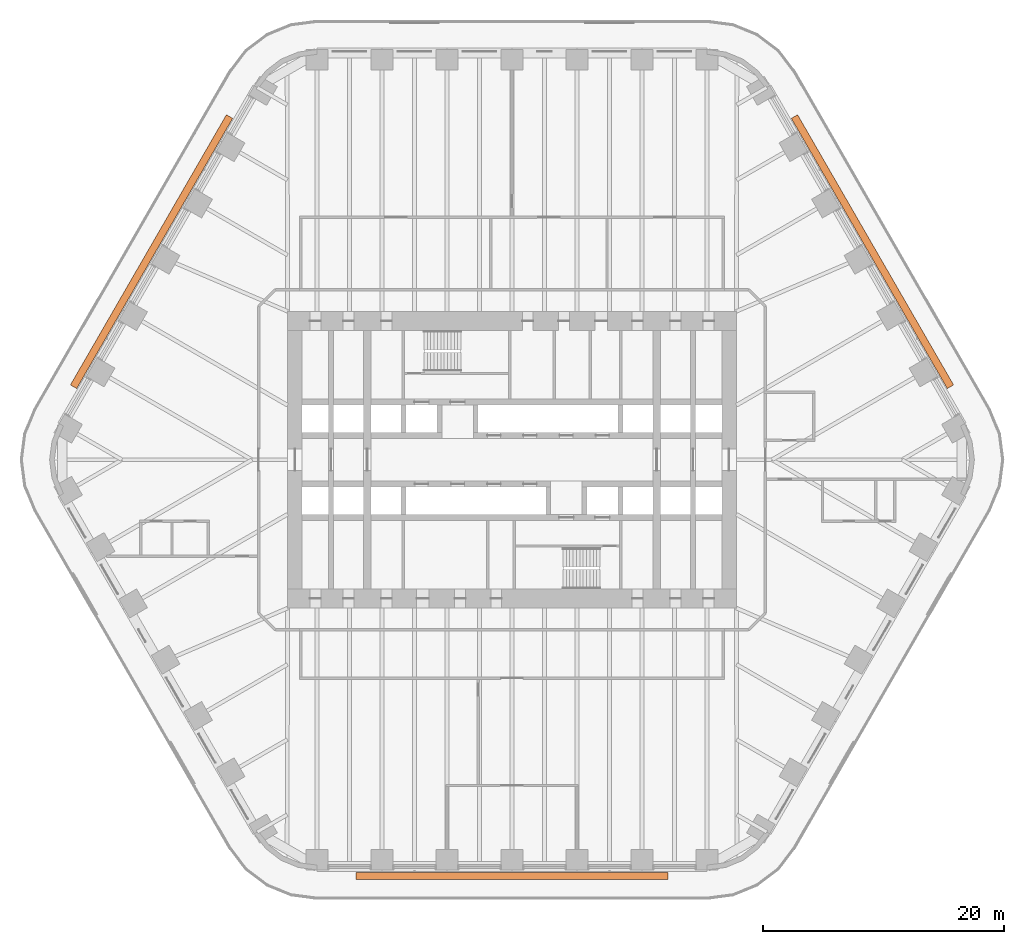
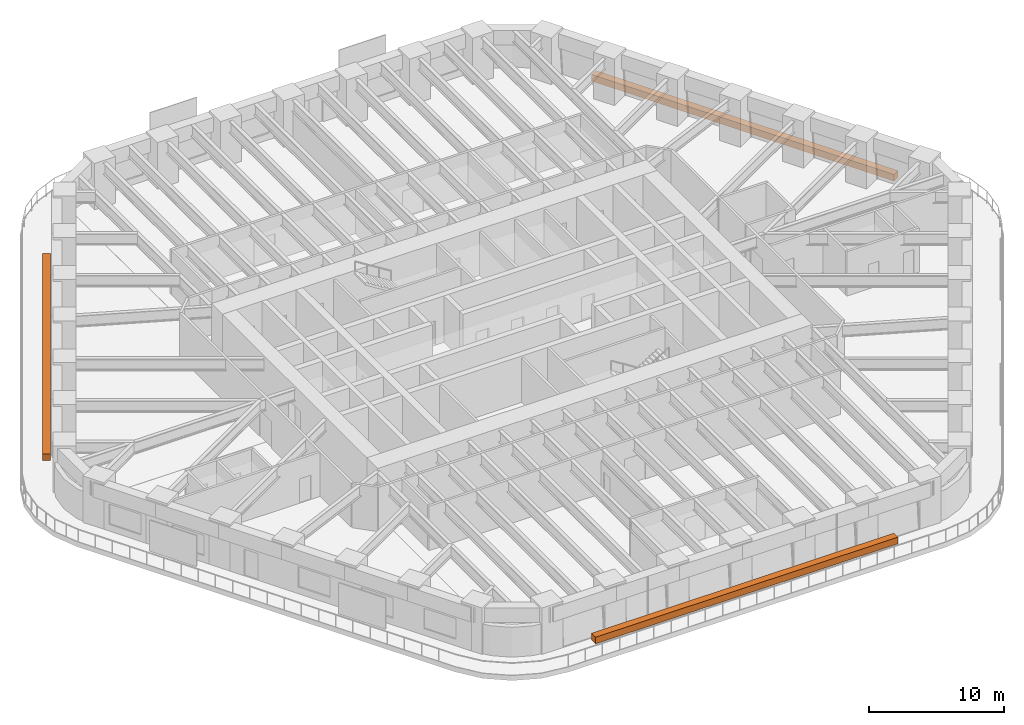
# One storey, part 23 of 23: 3 proxies.
"""IFC4 building model written with IfcOpenShell, lengths in metres."""

from ifc_helpers import new_model, si_unit, direction, frame, origin, origin_2d, place, context, subcontext, project, spatial, rectangle, extrude, material, element, save


model = new_model("IFC4")

# Units and contexts
model_context = context("Model", 3, precision=1e-05, world=origin(), true_north=direction((0.0, 1.0)))
body_context = subcontext(model_context, "Body", "Model", "MODEL_VIEW")
ifc_project = project(units=[si_unit("LENGTHUNIT", "METRE"), si_unit("AREAUNIT", "SQUARE_METRE"), si_unit("VOLUMEUNIT", "CUBIC_METRE"), si_unit("PLANEANGLEUNIT", "RADIAN"), si_unit("MASSUNIT", "GRAM", prefix="KILO")], contexts=[model_context])

# Site, building, storey
site_placement = place(None, origin())
site = spatial("IfcSite", under=ifc_project, at=site_placement, CompositionType="ELEMENT")
building_placement = place(site_placement, origin())
building = spatial("IfcBuilding", under=site, at=building_placement, Name="Tarfa Lantern Tower", CompositionType="ELEMENT")
storey_placement = place(building_placement, frame((0.0, 0.0, 99.10009765625)))
storey = spatial("IfcBuildingStorey", under=building, at=storey_placement, Name="L22", CompositionType="ELEMENT", Elevation=99.10009765625)

# Proxies
ifc_material = material(Name="Planting bed")
for number, where, z_axis, x_axis, name in (
    (1, (29.8779296875, 17.25, -0.000244140625), (0.0, 0.0, 1.0), (-0.5, 0.866025403784, 0.0), "Balcony planter"),
    (2, (-29.8779296875, 17.25, -0.000244140625), (0.0, 0.0, 1.0), (-0.5, -0.866025403784, 0.0), "Balcony planter"),
    (3, (0.0, -34.5, -0.000244140625), (0.0, 0.0, 1.0), (1.0, 0.0, 0.0), "Balcony planter"),
):
    element("IfcBuildingElementProxy", number, at=place(storey_placement, frame(where, z_axis=z_axis, x_axis=x_axis)), inside=storey, material=ifc_material, Name=name, ObjectType="PLANTER", PredefinedType="USERDEFINED", context=body_context, shape_type="SweptSolid", body=[
        extrude(rectangle(XDim=25.865234375, YDim=0.60009765625, at=origin_2d()), origin(), (0.0, 0.0, 1.0), 0.60009765625),
    ])

save(model, "model.ifc")
